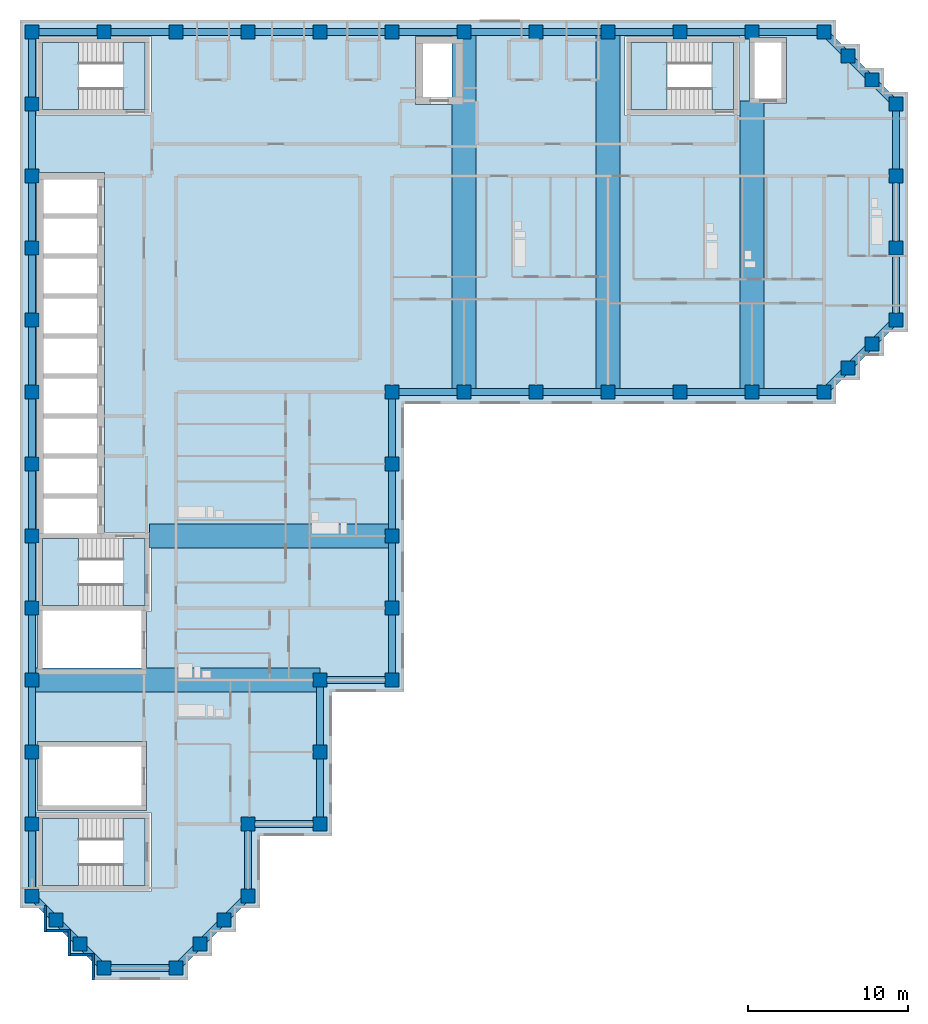
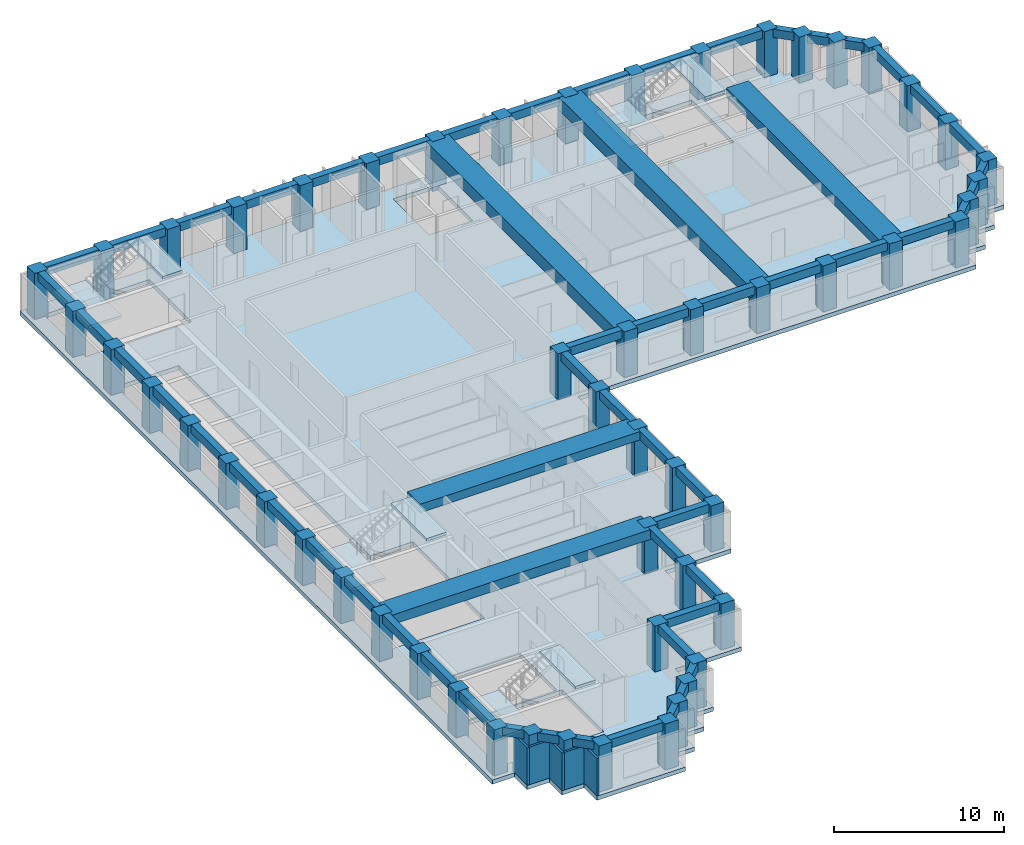
# One storey, part 1 of 10: 59 beams, 54 columns, 9 slabs, 5 walls, 4 elements without a shape of their own.
"""IFC4 building model written with IfcOpenShell, lengths in metres."""

from ifc_helpers import new_model, si_unit, direction, frame, frame_2d, origin, origin_2d, place, context, subcontext, project, spatial, polyline, rectangle, outline, extrude, material, layer, layer_set, material_profile, profile_set, type_object, element, aggregate, save


model = new_model("IFC4")

# Units and contexts
model_context = context("Model", 3, precision=1e-05, world=origin(), true_north=direction((0.0, 1.0)))
body_context = subcontext(model_context, "Body", "Model", "MODEL_VIEW")
ifc_project = project(units=[si_unit("LENGTHUNIT", "METRE"), si_unit("AREAUNIT", "SQUARE_METRE"), si_unit("VOLUMEUNIT", "CUBIC_METRE"), si_unit("PLANEANGLEUNIT", "RADIAN"), si_unit("MASSUNIT", "GRAM", prefix="KILO")], contexts=[model_context])

# Site, building, storey
site_placement = place(None, origin())
site = spatial("IfcSite", under=ifc_project, at=site_placement, CompositionType="ELEMENT")
building_placement = place(site_placement, origin())
building = spatial("IfcBuilding", under=site, at=building_placement, Name="Firuza Court", CompositionType="ELEMENT")
storey_placement = place(building_placement, frame((0.0, 0.0, 189.800048828125)))
storey = spatial("IfcBuildingStorey", under=building, at=storey_placement, Name="L48", CompositionType="ELEMENT", Elevation=189.800048828125)

# Columns
ifc_material_1 = material(Name="Concrete C50/60", Category="concrete")
ifc_material_profile_1 = material_profile(ifc_material_1, rectangle(XDim=0.89990234375, YDim=0.89990234375, at=origin_2d()), Name="RC 900x900")
ifc_profile_set_1 = profile_set([ifc_material_profile_1], Name="Concrete C50/60")
column_type = type_object("IfcColumnType", Name="Tube column RC 900x900 C50/60", PredefinedType="COLUMN", material=ifc_profile_set_1)
for number, where, z_axis, x_axis, name in (
    (1, (4.5, 0.0, -0.300048828125), (0.0, 0.0, 1.0), (1.0, 0.0, 0.0), "Column C-2D L48"),
    (2, (9.0, 0.0, -0.300048828125), (0.0, 0.0, 1.0), (1.0, 0.0, 0.0), "Column C-3D L48"),
    (3, (3.0, 1.5, -0.300048828125), (0.0, 0.0, 1.0), (1.0, 0.0, 0.0), "Column C-SA1 L48"),
    (4, (10.5, 1.5, -0.300048828125), (0.0, 0.0, 1.0), (1.0, 0.0, 0.0), "Column C-SA2 L48"),
    (5, (1.5, 3.0, -0.300048828125), (0.0, 0.0, 1.0), (1.0, 0.0, 0.0), "Column C-SA3 L48"),
    (6, (12.0, 3.0, -0.300048828125), (0.0, 0.0, 1.0), (1.0, 0.0, 0.0), "Column C-SA4 L48"),
    (7, (0.0, 4.5, -0.300048828125), (0.0, 0.0, 1.0), (1.0, 0.0, 0.0), "Column C-1E L48"),
    (8, (13.5, 4.5, -0.300048828125), (0.0, 0.0, 1.0), (1.0, 0.0, 0.0), "Column C-4E L48"),
    (9, (0.0, 9.0, -0.300048828125), (0.0, 0.0, 1.0), (1.0, 0.0, 0.0), "Column C-1F L48"),
    (10, (13.5, 9.0, -0.300048828125), (0.0, 0.0, 1.0), (1.0, 0.0, 0.0), "Column C-4F L48"),
    (11, (18.0, 9.0, -0.300048828125), (0.0, 0.0, 1.0), (1.0, 0.0, 0.0), "Column C-5F L48"),
    (12, (0.0, 13.5, -0.300048828125), (0.0, 0.0, 1.0), (1.0, 0.0, 0.0), "Column C-1G L48"),
    (13, (18.0, 13.5, -0.300048828125), (0.0, 0.0, 1.0), (1.0, 0.0, 0.0), "Column C-5G L48"),
    (14, (0.0, 18.0, -0.300048828125), (0.0, 0.0, 1.0), (1.0, 0.0, 0.0), "Column C-1H L48"),
    (15, (18.0, 18.0, -0.300048828125), (0.0, 0.0, 1.0), (1.0, 0.0, 0.0), "Column C-5H L48"),
    (16, (22.5, 18.0, -0.300048828125), (0.0, 0.0, 1.0), (1.0, 0.0, 0.0), "Column C-6H L48"),
    (17, (0.0, 22.5, -0.300048828125), (0.0, 0.0, 1.0), (1.0, 0.0, 0.0), "Column C-1J L48"),
    (18, (22.5, 22.5, -0.300048828125), (0.0, 0.0, 1.0), (1.0, 0.0, 0.0), "Column C-6J L48"),
    (19, (0.0, 27.0, -0.300048828125), (0.0, 0.0, 1.0), (1.0, 0.0, 0.0), "Column C-1K L48"),
    (20, (22.5, 27.0, -0.300048828125), (0.0, 0.0, 1.0), (1.0, 0.0, 0.0), "Column C-6K L48"),
    (21, (0.0, 31.5, -0.300048828125), (0.0, 0.0, 1.0), (1.0, 0.0, 0.0), "Column C-1L L48"),
    (22, (22.5, 31.5, -0.300048828125), (0.0, 0.0, 1.0), (1.0, 0.0, 0.0), "Column C-6L L48"),
    (23, (0.0, 36.0, -0.300048828125), (0.0, 0.0, 1.0), (1.0, 0.0, 0.0), "Column C-1M L48"),
    (24, (22.5, 36.0, -0.300048828125), (0.0, 0.0, 1.0), (1.0, 0.0, 0.0), "Column C-6M L48"),
    (25, (27.0, 36.0, -0.300048828125), (0.0, 0.0, 1.0), (1.0, 0.0, 0.0), "Column C-7M L48"),
    (26, (31.5, 36.0, -0.300048828125), (0.0, 0.0, 1.0), (1.0, 0.0, 0.0), "Column C-8M L48"),
    (27, (36.0, 36.0, -0.300048828125), (0.0, 0.0, 1.0), (1.0, 0.0, 0.0), "Column C-9M L48"),
    (28, (40.5, 36.0, -0.300048828125), (0.0, 0.0, 1.0), (1.0, 0.0, 0.0), "Column C-10M L48"),
    (29, (45.0, 36.0, -0.300048828125), (0.0, 0.0, 1.0), (1.0, 0.0, 0.0), "Column C-11M L48"),
    (30, (49.5, 36.0, -0.300048828125), (0.0, 0.0, 1.0), (1.0, 0.0, 0.0), "Column C-12M L48"),
    (31, (51.0, 37.5, -0.300048828125), (0.0, 0.0, 1.0), (1.0, 0.0, 0.0), "Column C-SA5 L48"),
    (32, (52.5, 39.0, -0.300048828125), (0.0, 0.0, 1.0), (1.0, 0.0, 0.0), "Column C-SA6 L48"),
    (33, (0.0, 40.5, -0.300048828125), (0.0, 0.0, 1.0), (1.0, 0.0, 0.0), "Column C-1N L48"),
    (34, (54.0, 40.5, -0.300048828125), (0.0, 0.0, 1.0), (1.0, 0.0, 0.0), "Column C-13N L48"),
    (35, (0.0, 45.0, -0.300048828125), (0.0, 0.0, 1.0), (1.0, 0.0, 0.0), "Column C-1P L48"),
    (36, (54.0, 45.0, -0.300048828125), (0.0, 0.0, 1.0), (1.0, 0.0, 0.0), "Column C-13P L48"),
    (37, (0.0, 49.5, -0.300048828125), (0.0, 0.0, 1.0), (1.0, 0.0, 0.0), "Column C-1Q L48"),
    (38, (54.0, 49.5, -0.300048828125), (0.0, 0.0, 1.0), (1.0, 0.0, 0.0), "Column C-13Q L48"),
    (39, (0.0, 54.0, -0.300048828125), (0.0, 0.0, 1.0), (1.0, 0.0, 0.0), "Column C-1R L48"),
    (40, (54.0, 54.0, -0.300048828125), (0.0, 0.0, 1.0), (1.0, 0.0, 0.0), "Column C-13R L48"),
    (41, (52.5, 55.5, -0.300048828125), (0.0, 0.0, 1.0), (1.0, 0.0, 0.0), "Column C-SA7 L48"),
    (42, (51.0, 57.0, -0.300048828125), (0.0, 0.0, 1.0), (1.0, 0.0, 0.0), "Column C-SA8 L48"),
    (43, (0.0, 58.5, -0.300048828125), (0.0, 0.0, 1.0), (1.0, 0.0, 0.0), "Column C-1S L48"),
    (44, (4.5, 58.5, -0.300048828125), (0.0, 0.0, 1.0), (1.0, 0.0, 0.0), "Column C-2S L48"),
    (45, (9.0, 58.5, -0.300048828125), (0.0, 0.0, 1.0), (1.0, 0.0, 0.0), "Column C-3S L48"),
    (46, (13.5, 58.5, -0.300048828125), (0.0, 0.0, 1.0), (1.0, 0.0, 0.0), "Column C-4S L48"),
    (47, (18.0, 58.5, -0.300048828125), (0.0, 0.0, 1.0), (1.0, 0.0, 0.0), "Column C-5S L48"),
    (48, (22.5, 58.5, -0.300048828125), (0.0, 0.0, 1.0), (1.0, 0.0, 0.0), "Column C-6S L48"),
    (49, (27.0, 58.5, -0.300048828125), (0.0, 0.0, 1.0), (1.0, 0.0, 0.0), "Column C-7S L48"),
    (50, (31.5, 58.5, -0.300048828125), (0.0, 0.0, 1.0), (1.0, 0.0, 0.0), "Column C-8S L48"),
    (51, (36.0, 58.5, -0.300048828125), (0.0, 0.0, 1.0), (1.0, 0.0, 0.0), "Column C-9S L48"),
    (52, (40.5, 58.5, -0.300048828125), (0.0, 0.0, 1.0), (1.0, 0.0, 0.0), "Column C-10S L48"),
    (53, (45.0, 58.5, -0.300048828125), (0.0, 0.0, 1.0), (1.0, 0.0, 0.0), "Column C-11S L48"),
    (54, (49.5, 58.5, -0.300048828125), (0.0, 0.0, 1.0), (1.0, 0.0, 0.0), "Column C-12S L48"),
):
    element("IfcColumn", number, at=place(storey_placement, frame(where, z_axis=z_axis, x_axis=x_axis)), inside=storey, type_object=column_type, Name=name, PredefinedType="COLUMN", context=body_context, shape_type="SweptSolid", body=[
        extrude(rectangle(XDim=0.89990234375, YDim=0.89990234375, at=origin_2d()), origin(), (0.0, 0.0, 1.0), 3.60009765625),
    ])

# Beams
ifc_material_2 = material(Name="Concrete C40/50", Category="concrete")
ifc_material_profile_2 = material_profile(ifc_material_2, rectangle(XDim=1.5, YDim=0.60009765625, at=origin_2d()), Name="RC 1500x600")
ifc_profile_set_2 = profile_set([ifc_material_profile_2], Name="Concrete C40/50")
beam_type_1 = type_object("IfcBeamType", Name="Band beam RC 1500x600 C40/50", PredefinedType="BEAM", material=ifc_profile_set_2)
beam_1_placement = place(storey_placement, frame((22.5, 27.0, 3.0), z_axis=(-1.0, 0.0, 0.0), x_axis=(0.0, -1.0, 0.0)))
element("IfcBeam", 55, at=beam_1_placement, inside=storey, type_object=beam_type_1, Name="Band beam FB3 level L49", PredefinedType="BEAM", context=body_context, shape_type="SweptSolid", body=[
    extrude(rectangle(XDim=1.5, YDim=0.60009765625, at=origin_2d()), origin(), (0.0, 0.0, 1.0), 15.14990234375),
])
ifc_material_3 = material(Name="Concrete C40/50", Category="concrete")
ifc_material_profile_3 = material_profile(ifc_material_3, rectangle(XDim=1.5, YDim=0.699951171875, at=origin_2d()), Name="RC 1500x700")
ifc_profile_set_3 = profile_set([ifc_material_profile_3], Name="Concrete C40/50")
beam_type_2 = type_object("IfcBeamType", Name="Band beam RC 1500x700 C40/50", PredefinedType="BEAM", material=ifc_profile_set_3)
beam_2_placement = place(storey_placement, frame((0.0, 18.0, 2.949951171875), z_axis=(1.0, 0.0, 0.0), x_axis=(0.0, 1.0, 0.0)))
element("IfcBeam", 56, at=beam_2_placement, inside=storey, type_object=beam_type_2, Name="Band beam FB1 level L49", PredefinedType="BEAM", context=body_context, shape_type="SweptSolid", body=[
    extrude(rectangle(XDim=1.5, YDim=0.699951171875, at=origin_2d()), origin(), (0.0, 0.0, 1.0), 18.0),
])
beam_3_placement = place(storey_placement, frame((45.0, 36.0, 2.949951171875), z_axis=(0.0, 1.0, 0.0), x_axis=(-1.0, 0.0, 0.0)))
element("IfcBeam", 57, at=beam_3_placement, inside=storey, type_object=beam_type_2, Name="Band beam FB1 level L49", PredefinedType="BEAM", context=body_context, shape_type="SweptSolid", body=[
    extrude(rectangle(XDim=1.5, YDim=0.699951171875, at=origin_2d()), origin(), (0.0, 0.0, 1.0), 18.199951171875),
])
ifc_material_4 = material(Name="Concrete C40/50", Category="concrete")
ifc_material_profile_4 = material_profile(ifc_material_4, rectangle(XDim=1.5, YDim=0.89990234375, at=origin_2d()), Name="RC 1500x900")
ifc_profile_set_4 = profile_set([ifc_material_profile_4], Name="Concrete C40/50")
beam_type_3 = type_object("IfcBeamType", Name="Band beam RC 1500x900 C40/50", PredefinedType="BEAM", material=ifc_profile_set_4)
for number, where, z_axis, x_axis, name in (
    (58, (27.0, 36.0, 2.849853515625), (0.0, 1.0, 0.0), (-1.0, 0.0, 0.0), "Band beam FB2 level L49"),
    (59, (36.0, 36.0, 2.849853515625), (0.0, 1.0, 0.0), (-1.0, 0.0, 0.0), "Band beam FB2 level L49"),
):
    element("IfcBeam", number, at=place(storey_placement, frame(where, z_axis=z_axis, x_axis=x_axis)), inside=storey, type_object=beam_type_3, Name=name, PredefinedType="BEAM", context=body_context, shape_type="SweptSolid", body=[
        extrude(rectangle(XDim=1.5, YDim=0.89990234375, at=origin_2d()), origin(), (0.0, 0.0, 1.0), 22.5),
    ])
ifc_material_5 = material(Name="Concrete C40/50", Category="concrete")
ifc_material_profile_5 = material_profile(ifc_material_5, rectangle(XDim=0.449951171875, YDim=0.60009765625, at=origin_2d()), Name="RC 450x600")
ifc_profile_set_5 = profile_set([ifc_material_profile_5], Name="Concrete C40/50")
beam_type_4 = type_object("IfcBeamType", Name="Spandrel beam RC 450x600 C40/50", PredefinedType="BEAM", material=ifc_profile_set_5)
beam_4_placement = place(storey_placement, frame((0.0, 4.5, 3.0), z_axis=(0.707106781187, -0.707106781187, 0.0), x_axis=(0.707106781187, 0.707106781187, 0.0)))
element("IfcBeam", 60, at=beam_4_placement, inside=storey, type_object=beam_type_4, Name="Spandrel beam SP15 level L49", PredefinedType="BEAM", context=body_context, shape_type="SweptSolid", body=[
    extrude(rectangle(XDim=0.449951171875, YDim=0.60009765625, at=origin_2d()), origin(), (0.0, 0.0, 1.0), 2.121337890625),
])
for number, where, z_axis, x_axis, name in (
    (61, (0.0, 9.0, 3.0), (0.0, -1.0, 0.0), (1.0, 0.0, 0.0), "Spandrel beam SP15 level L49"),
    (62, (0.0, 13.5, 3.0), (0.0, -1.0, 0.0), (1.0, 0.0, 0.0), "Spandrel beam SP15 level L49"),
    (63, (0.0, 18.0, 3.0), (0.0, -1.0, 0.0), (1.0, 0.0, 0.0), "Spandrel beam SP15 level L49"),
    (64, (0.0, 22.5, 3.0), (0.0, -1.0, 0.0), (1.0, 0.0, 0.0), "Spandrel beam SP15 level L49"),
    (65, (0.0, 27.0, 3.0), (0.0, -1.0, 0.0), (1.0, 0.0, 0.0), "Spandrel beam SP15 level L49"),
    (66, (0.0, 31.5, 3.0), (0.0, -1.0, 0.0), (1.0, 0.0, 0.0), "Spandrel beam SP15 level L49"),
    (67, (0.0, 36.0, 3.0), (0.0, -1.0, 0.0), (1.0, 0.0, 0.0), "Spandrel beam SP15 level L49"),
    (68, (0.0, 40.5, 3.0), (0.0, -1.0, 0.0), (1.0, 0.0, 0.0), "Spandrel beam SP15 level L49"),
    (69, (0.0, 45.0, 3.0), (0.0, -1.0, 0.0), (1.0, 0.0, 0.0), "Spandrel beam SP15 level L49"),
    (70, (0.0, 49.5, 3.0), (0.0, -1.0, 0.0), (1.0, 0.0, 0.0), "Spandrel beam SP15 level L49"),
    (71, (0.0, 54.0, 3.0), (0.0, -1.0, 0.0), (1.0, 0.0, 0.0), "Spandrel beam SP15 level L49"),
    (72, (0.0, 58.5, 3.0), (0.0, -1.0, 0.0), (1.0, 0.0, 0.0), "Spandrel beam SP15 level L49"),
):
    element("IfcBeam", number, at=place(storey_placement, frame(where, z_axis=z_axis, x_axis=x_axis)), inside=storey, type_object=beam_type_4, Name=name, PredefinedType="BEAM", context=body_context, shape_type="SweptSolid", body=[
        extrude(rectangle(XDim=0.449951171875, YDim=0.60009765625, at=origin_2d()), origin(), (0.0, 0.0, 1.0), 4.5),
    ])
for number, where, z_axis, x_axis, name in (
    (73, (1.5, 3.0, 3.0), (0.707106781187, -0.707106781187, 0.0), (0.707106781187, 0.707106781187, 0.0), "Spandrel beam SP15 level L49"),
    (74, (3.0, 1.5, 3.0), (0.707106781187, -0.707106781187, 0.0), (0.707106781187, 0.707106781187, 0.0), "Spandrel beam SP15 level L49"),
):
    element("IfcBeam", number, at=place(storey_placement, frame(where, z_axis=z_axis, x_axis=x_axis)), inside=storey, type_object=beam_type_4, Name=name, PredefinedType="BEAM", context=body_context, shape_type="SweptSolid", body=[
        extrude(rectangle(XDim=0.449951171875, YDim=0.60009765625, at=origin_2d()), origin(), (0.0, 0.0, 1.0), 2.121337890625),
    ])
for number, where, z_axis, x_axis, name in (
    (75, (4.5, 0.0, 3.0), (1.0, 0.0, 0.0), (0.0, 1.0, 0.0), "Spandrel beam SP15 level L49"),
    (76, (4.5, 58.5, 3.0), (-1.0, 0.0, 0.0), (0.0, -1.0, 0.0), "Spandrel beam SP15 level L49"),
):
    element("IfcBeam", number, at=place(storey_placement, frame(where, z_axis=z_axis, x_axis=x_axis)), inside=storey, type_object=beam_type_4, Name=name, PredefinedType="BEAM", context=body_context, shape_type="SweptSolid", body=[
        extrude(rectangle(XDim=0.449951171875, YDim=0.60009765625, at=origin_2d()), origin(), (0.0, 0.0, 1.0), 4.5),
    ])
beam_5_placement = place(storey_placement, frame((9.0, 0.0, 3.0), z_axis=(0.707106781187, 0.707106781187, 0.0), x_axis=(-0.707106781187, 0.707106781187, 0.0)))
element("IfcBeam", 77, at=beam_5_placement, inside=storey, type_object=beam_type_4, Name="Spandrel beam SP15 level L49", PredefinedType="BEAM", context=body_context, shape_type="SweptSolid", body=[
    extrude(rectangle(XDim=0.449951171875, YDim=0.60009765625, at=origin_2d()), origin(), (0.0, 0.0, 1.0), 2.121337890625),
])
beam_6_placement = place(storey_placement, frame((9.0, 58.5, 3.0), z_axis=(-1.0, 0.0, 0.0), x_axis=(0.0, -1.0, 0.0)))
element("IfcBeam", 78, at=beam_6_placement, inside=storey, type_object=beam_type_4, Name="Spandrel beam SP15 level L49", PredefinedType="BEAM", context=body_context, shape_type="SweptSolid", body=[
    extrude(rectangle(XDim=0.449951171875, YDim=0.60009765625, at=origin_2d()), origin(), (0.0, 0.0, 1.0), 4.5),
])
for number, where, z_axis, x_axis, name in (
    (79, (10.5, 1.5, 3.0), (0.707106781187, 0.707106781187, 0.0), (-0.707106781187, 0.707106781187, 0.0), "Spandrel beam SP15 level L49"),
    (80, (12.0, 3.0, 3.0), (0.707106781187, 0.707106781187, 0.0), (-0.707106781187, 0.707106781187, 0.0), "Spandrel beam SP15 level L49"),
):
    element("IfcBeam", number, at=place(storey_placement, frame(where, z_axis=z_axis, x_axis=x_axis)), inside=storey, type_object=beam_type_4, Name=name, PredefinedType="BEAM", context=body_context, shape_type="SweptSolid", body=[
        extrude(rectangle(XDim=0.449951171875, YDim=0.60009765625, at=origin_2d()), origin(), (0.0, 0.0, 1.0), 2.121337890625),
    ])
for number, where, z_axis, x_axis, name in (
    (81, (13.5, 4.5, 3.0), (0.0, 1.0, 0.0), (-1.0, 0.0, 0.0), "Spandrel beam SP15 level L49"),
    (82, (13.5, 9.0, 3.0), (1.0, 0.0, 0.0), (0.0, 1.0, 0.0), "Spandrel beam SP15 level L49"),
    (83, (13.5, 58.5, 3.0), (-1.0, 0.0, 0.0), (0.0, -1.0, 0.0), "Spandrel beam SP15 level L49"),
    (84, (18.0, 9.0, 3.0), (0.0, 1.0, 0.0), (-1.0, 0.0, 0.0), "Spandrel beam SP15 level L49"),
    (85, (18.0, 13.5, 3.0), (0.0, 1.0, 0.0), (-1.0, 0.0, 0.0), "Spandrel beam SP15 level L49"),
    (86, (18.0, 18.0, 3.0), (1.0, 0.0, 0.0), (0.0, 1.0, 0.0), "Spandrel beam SP15 level L49"),
    (87, (18.0, 58.5, 3.0), (-1.0, 0.0, 0.0), (0.0, -1.0, 0.0), "Spandrel beam SP15 level L49"),
    (88, (22.5, 18.0, 3.0), (0.0, 1.0, 0.0), (-1.0, 0.0, 0.0), "Spandrel beam SP15 level L49"),
    (89, (22.5, 22.5, 3.0), (0.0, 1.0, 0.0), (-1.0, 0.0, 0.0), "Spandrel beam SP15 level L49"),
    (90, (22.5, 27.0, 3.0), (0.0, 1.0, 0.0), (-1.0, 0.0, 0.0), "Spandrel beam SP15 level L49"),
    (91, (22.5, 31.5, 3.0), (0.0, 1.0, 0.0), (-1.0, 0.0, 0.0), "Spandrel beam SP15 level L49"),
    (92, (22.5, 36.0, 3.0), (1.0, 0.0, 0.0), (0.0, 1.0, 0.0), "Spandrel beam SP15 level L49"),
    (93, (22.5, 58.5, 3.0), (-1.0, 0.0, 0.0), (0.0, -1.0, 0.0), "Spandrel beam SP15 level L49"),
    (94, (27.0, 36.0, 3.0), (1.0, 0.0, 0.0), (0.0, 1.0, 0.0), "Spandrel beam SP15 level L49"),
    (95, (27.0, 58.5, 3.0), (-1.0, 0.0, 0.0), (0.0, -1.0, 0.0), "Spandrel beam SP15 level L49"),
    (96, (31.5, 36.0, 3.0), (1.0, 0.0, 0.0), (0.0, 1.0, 0.0), "Spandrel beam SP15 level L49"),
    (97, (31.5, 58.5, 3.0), (-1.0, 0.0, 0.0), (0.0, -1.0, 0.0), "Spandrel beam SP15 level L49"),
    (98, (36.0, 36.0, 3.0), (1.0, 0.0, 0.0), (0.0, 1.0, 0.0), "Spandrel beam SP15 level L49"),
    (99, (36.0, 58.5, 3.0), (-1.0, 0.0, 0.0), (0.0, -1.0, 0.0), "Spandrel beam SP15 level L49"),
    (100, (40.5, 36.0, 3.0), (1.0, 0.0, 0.0), (0.0, 1.0, 0.0), "Spandrel beam SP15 level L49"),
    (101, (40.5, 58.5, 3.0), (-1.0, 0.0, 0.0), (0.0, -1.0, 0.0), "Spandrel beam SP15 level L49"),
    (102, (45.0, 36.0, 3.0), (1.0, 0.0, 0.0), (0.0, 1.0, 0.0), "Spandrel beam SP15 level L49"),
    (103, (45.0, 58.5, 3.0), (-1.0, 0.0, 0.0), (0.0, -1.0, 0.0), "Spandrel beam SP15 level L49"),
):
    element("IfcBeam", number, at=place(storey_placement, frame(where, z_axis=z_axis, x_axis=x_axis)), inside=storey, type_object=beam_type_4, Name=name, PredefinedType="BEAM", context=body_context, shape_type="SweptSolid", body=[
        extrude(rectangle(XDim=0.449951171875, YDim=0.60009765625, at=origin_2d()), origin(), (0.0, 0.0, 1.0), 4.5),
    ])
beam_7_placement = place(storey_placement, frame((49.5, 36.0, 3.0), z_axis=(0.707106781187, 0.707106781187, 0.0), x_axis=(-0.707106781187, 0.707106781187, 0.0)))
element("IfcBeam", 104, at=beam_7_placement, inside=storey, type_object=beam_type_4, Name="Spandrel beam SP15 level L49", PredefinedType="BEAM", context=body_context, shape_type="SweptSolid", body=[
    extrude(rectangle(XDim=0.449951171875, YDim=0.60009765625, at=origin_2d()), origin(), (0.0, 0.0, 1.0), 2.121337890625),
])
beam_8_placement = place(storey_placement, frame((49.5, 58.5, 3.0), z_axis=(-1.0, 0.0, 0.0), x_axis=(0.0, -1.0, 0.0)))
element("IfcBeam", 105, at=beam_8_placement, inside=storey, type_object=beam_type_4, Name="Spandrel beam SP15 level L49", PredefinedType="BEAM", context=body_context, shape_type="SweptSolid", body=[
    extrude(rectangle(XDim=0.449951171875, YDim=0.60009765625, at=origin_2d()), origin(), (0.0, 0.0, 1.0), 4.5),
])
for number, where, z_axis, x_axis, name in (
    (106, (51.0, 37.5, 3.0), (0.707106781187, 0.707106781187, 0.0), (-0.707106781187, 0.707106781187, 0.0), "Spandrel beam SP15 level L49"),
    (107, (51.0, 57.0, 3.0), (-0.707106781187, 0.707106781187, 0.0), (-0.707106781187, -0.707106781187, 0.0), "Spandrel beam SP15 level L49"),
    (108, (52.5, 39.0, 3.0), (0.707106781187, 0.707106781187, 0.0), (-0.707106781187, 0.707106781187, 0.0), "Spandrel beam SP15 level L49"),
    (109, (52.5, 55.5, 3.0), (-0.707106781187, 0.707106781187, 0.0), (-0.707106781187, -0.707106781187, 0.0), "Spandrel beam SP15 level L49"),
):
    element("IfcBeam", number, at=place(storey_placement, frame(where, z_axis=z_axis, x_axis=x_axis)), inside=storey, type_object=beam_type_4, Name=name, PredefinedType="BEAM", context=body_context, shape_type="SweptSolid", body=[
        extrude(rectangle(XDim=0.449951171875, YDim=0.60009765625, at=origin_2d()), origin(), (0.0, 0.0, 1.0), 2.121337890625),
    ])
for number, where, z_axis, x_axis, name in (
    (110, (54.0, 40.5, 3.0), (0.0, 1.0, 0.0), (-1.0, 0.0, 0.0), "Spandrel beam SP15 level L49"),
    (111, (54.0, 45.0, 3.0), (0.0, 1.0, 0.0), (-1.0, 0.0, 0.0), "Spandrel beam SP15 level L49"),
    (112, (54.0, 49.5, 3.0), (0.0, 1.0, 0.0), (-1.0, 0.0, 0.0), "Spandrel beam SP15 level L49"),
):
    element("IfcBeam", number, at=place(storey_placement, frame(where, z_axis=z_axis, x_axis=x_axis)), inside=storey, type_object=beam_type_4, Name=name, PredefinedType="BEAM", context=body_context, shape_type="SweptSolid", body=[
        extrude(rectangle(XDim=0.449951171875, YDim=0.60009765625, at=origin_2d()), origin(), (0.0, 0.0, 1.0), 4.5),
    ])
beam_9_placement = place(storey_placement, frame((54.0, 54.0, 3.0), z_axis=(-0.707106781187, 0.707106781187, 0.0), x_axis=(-0.707106781187, -0.707106781187, 0.0)))
element("IfcBeam", 113, at=beam_9_placement, inside=storey, type_object=beam_type_4, Name="Spandrel beam SP15 level L49", PredefinedType="BEAM", context=body_context, shape_type="SweptSolid", body=[
    extrude(rectangle(XDim=0.449951171875, YDim=0.60009765625, at=origin_2d()), origin(), (0.0, 0.0, 1.0), 2.121337890625),
])

# Slab
ifc_material_6 = material(Name="Concrete C40/50", Category="concrete")
ifc_layer_1 = layer(ifc_material_6, 0.300048828125)
ifc_layer_set_1 = layer_set([ifc_layer_1], Name="Concrete C40/50")
slab_type_1 = type_object("IfcSlabType", Name="Floor slab 300 C40/50", PredefinedType="FLOOR", material=ifc_layer_set_1)
slab_1_placement = place(storey_placement, frame((0.0, 0.0, -0.300048828125)))
element("IfcSlab", 114, at=slab_1_placement, inside=storey, type_object=slab_type_1, Name="Floor slab L48", PredefinedType="FLOOR", context=body_context, shape_type="SweptSolid", body=[
    extrude(outline(polyline([(-0.75, 59.25), (50.25, 59.25), (50.25, 57.75), (51.75, 57.75), (51.75, 56.25), (53.25, 56.25), (53.25, 54.75), (54.75, 54.75), (54.75, 39.75), (53.25, 39.75), (53.25, 38.25), (51.75, 38.25), (51.75, 36.75), (50.25, 36.75), (50.25, 35.25), (23.25, 35.25), (23.25, 17.25), (18.75, 17.25), (18.75, 8.25), (14.25, 8.25), (14.25, 3.75), (12.75, 3.75), (12.75, 2.25), (11.25, 2.25), (11.25, 0.75), (9.75, 0.75), (9.75, -0.75), (3.75, -0.75), (3.75, 0.75), (2.25, 0.75), (2.25, 2.25), (0.75, 2.25), (0.75, 3.75), (-0.75, 3.75), (-0.75, 59.25)]), holes=[polyline([(0.27490234375, 29.72509765625), (0.27490234375, 29.27490234375), (0.27490234375, 27.22509765625), (0.27490234375, 26.77490234375), (0.27490234375, 22.27490234375), (0.35009765625, 22.27490234375), (0.35009765625, 18.35009765625), (7.14990234375, 18.35009765625), (7.14990234375, 22.27490234375), (7.425048828125, 22.27490234375), (7.425048828125, 27.22509765625), (4.52490234375, 27.22509765625), (4.52490234375, 29.27490234375), (4.52490234375, 29.72509765625), (4.52490234375, 31.77490234375), (4.52490234375, 32.22509765625), (4.52490234375, 34.27490234375), (4.52490234375, 34.72509765625), (4.52490234375, 36.77490234375), (4.52490234375, 37.22509765625), (4.52490234375, 39.27490234375), (4.52490234375, 39.72509765625), (4.52490234375, 41.77490234375), (4.52490234375, 42.22509765625), (4.52490234375, 44.27490234375), (4.52490234375, 44.72509765625), (4.52490234375, 46.77490234375), (4.52490234375, 47.22509765625), (4.52490234375, 49.72509765625), (0.27490234375, 49.72509765625), (0.27490234375, 47.22509765625), (0.27490234375, 46.77490234375), (0.27490234375, 44.72509765625), (0.27490234375, 44.27490234375), (0.27490234375, 42.22509765625), (0.27490234375, 41.77490234375), (0.27490234375, 39.72509765625), (0.27490234375, 39.27490234375), (0.27490234375, 37.22509765625), (0.27490234375, 36.77490234375), (0.27490234375, 34.72509765625), (0.27490234375, 34.27490234375), (0.27490234375, 32.22509765625), (0.27490234375, 31.77490234375), (0.27490234375, 29.72509765625)]), polyline([(7.425048828125, 9.72509765625), (0.27490234375, 9.72509765625), (0.27490234375, 4.77490234375), (7.425048828125, 4.77490234375), (7.425048828125, 9.72509765625)]), polyline([(7.14990234375, 14.14990234375), (0.35009765625, 14.14990234375), (0.35009765625, 9.85009765625), (7.14990234375, 9.85009765625), (7.14990234375, 14.14990234375)]), polyline([(7.425048828125, 58.22509765625), (0.27490234375, 58.22509765625), (0.27490234375, 53.27490234375), (7.425048828125, 53.27490234375), (7.425048828125, 58.22509765625)]), polyline([(44.22509765625, 58.22509765625), (37.074951171875, 58.22509765625), (37.074951171875, 53.27490234375), (44.22509765625, 53.27490234375), (44.22509765625, 58.22509765625)]), polyline([(26.925048828125, 53.97509765625), (26.925048828125, 58.22509765625), (23.97509765625, 58.22509765625), (23.97509765625, 53.97509765625), (26.925048828125, 53.97509765625)]), polyline([(47.14990234375, 54.050048828125), (47.14990234375, 58.14990234375), (44.85009765625, 58.14990234375), (44.85009765625, 54.050048828125), (47.14990234375, 54.050048828125)])]), origin(), (0.0, 0.0, 1.0), 0.300048828125),
])

# Stair, slabs
ifc_material_7 = material(Name="Concrete C40/50 precast", Category="concrete")
stair_type = type_object("IfcStairType", Name="Stair 1350 x 3600 2 flights", PredefinedType="HALF_TURN_STAIR", material=ifc_material_7)
stair_1_placement = place(storey_placement, origin())
stair_1 = element("IfcStair", 115, at=stair_1_placement, inside=storey, type_object=stair_type, Name="Stair 1 L48", PredefinedType="HALF_TURN_STAIR")
ifc_material_8 = material(Name="Concrete C40/50 precast", Category="concrete")
ifc_layer_2 = layer(ifc_material_8, 0.199951171875)
ifc_layer_set_2 = layer_set([ifc_layer_2], Name="Concrete C40/50 precast")
slab_type_2 = type_object("IfcSlabType", Name="Stair landing 200", PredefinedType="LANDING", material=ifc_layer_set_2)
slab_2_placement = place(storey_placement, frame((0.0, 0.0, 1.599853515625)))
slab_2 = element("IfcSlab", 116, at=slab_2_placement, type_object=slab_type_2, Name="S1 landing 1", PredefinedType="LANDING", context=body_context, shape_type="SweptSolid", body=[
    extrude(outline(polyline([(39.699951171875, 53.64990234375), (39.699951171875, 57.85009765625), (37.449951171875, 57.85009765625), (37.449951171875, 53.64990234375), (39.699951171875, 53.64990234375)])), origin(), (0.0, 0.0, 1.0), 0.2001953125),
])
slab_3_placement = place(storey_placement, frame((0.0, 0.0, 3.39990234375)))
slab_3 = element("IfcSlab", 117, at=slab_3_placement, type_object=slab_type_2, Name="S1 landing 2", PredefinedType="LANDING", context=body_context, shape_type="SweptSolid", body=[
    extrude(outline(polyline([(43.85009765625, 53.64990234375), (43.85009765625, 57.85009765625), (42.5, 57.85009765625), (42.5, 53.64990234375), (43.85009765625, 53.64990234375)])), origin(), (0.0, 0.0, 1.0), 0.199951171875),
])
aggregate(stair_1, [slab_2, slab_3])

stair_2_placement = place(storey_placement, origin())
stair_2 = element("IfcStair", 118, at=stair_2_placement, inside=storey, type_object=stair_type, Name="Stair 2 L48", PredefinedType="HALF_TURN_STAIR")
slab_4_placement = place(storey_placement, frame((0.0, 0.0, 1.599853515625)))
slab_4 = element("IfcSlab", 119, at=slab_4_placement, type_object=slab_type_2, Name="S2 landing 1", PredefinedType="LANDING", context=body_context, shape_type="SweptSolid", body=[
    extrude(outline(polyline([(2.89990234375, 22.64990234375), (2.89990234375, 26.85009765625), (0.64990234375, 26.85009765625), (0.64990234375, 22.64990234375), (2.89990234375, 22.64990234375)])), origin(), (0.0, 0.0, 1.0), 0.2001953125),
])
slab_5_placement = place(storey_placement, frame((0.0, 0.0, 3.39990234375)))
slab_5 = element("IfcSlab", 120, at=slab_5_placement, type_object=slab_type_2, Name="S2 landing 2", PredefinedType="LANDING", context=body_context, shape_type="SweptSolid", body=[
    extrude(outline(polyline([(7.050048828125, 22.64990234375), (7.050048828125, 26.85009765625), (5.699951171875, 26.85009765625), (5.699951171875, 22.64990234375), (7.050048828125, 22.64990234375)])), origin(), (0.0, 0.0, 1.0), 0.199951171875),
])
aggregate(stair_2, [slab_4, slab_5])

stair_3_placement = place(storey_placement, origin())
stair_3 = element("IfcStair", 121, at=stair_3_placement, inside=storey, type_object=stair_type, Name="Stair 3 L48", PredefinedType="HALF_TURN_STAIR")
slab_6_placement = place(storey_placement, frame((0.0, 0.0, 1.599853515625)))
slab_6 = element("IfcSlab", 122, at=slab_6_placement, type_object=slab_type_2, Name="S3 landing 1", PredefinedType="LANDING", context=body_context, shape_type="SweptSolid", body=[
    extrude(outline(polyline([(2.89990234375, 53.64990234375), (2.89990234375, 57.85009765625), (0.64990234375, 57.85009765625), (0.64990234375, 53.64990234375), (2.89990234375, 53.64990234375)])), origin(), (0.0, 0.0, 1.0), 0.2001953125),
])
slab_7_placement = place(storey_placement, frame((0.0, 0.0, 3.39990234375)))
slab_7 = element("IfcSlab", 123, at=slab_7_placement, type_object=slab_type_2, Name="S3 landing 2", PredefinedType="LANDING", context=body_context, shape_type="SweptSolid", body=[
    extrude(outline(polyline([(7.050048828125, 53.64990234375), (7.050048828125, 57.85009765625), (5.699951171875, 57.85009765625), (5.699951171875, 53.64990234375), (7.050048828125, 53.64990234375)])), origin(), (0.0, 0.0, 1.0), 0.199951171875),
])
aggregate(stair_3, [slab_6, slab_7])

stair_4_placement = place(storey_placement, origin())
stair_4 = element("IfcStair", 124, at=stair_4_placement, inside=storey, type_object=stair_type, Name="Stair 5 L48", PredefinedType="HALF_TURN_STAIR")
slab_8_placement = place(storey_placement, frame((0.0, 0.0, 1.599853515625)))
slab_8 = element("IfcSlab", 125, at=slab_8_placement, type_object=slab_type_2, Name="S5 landing 1", PredefinedType="LANDING", context=body_context, shape_type="SweptSolid", body=[
    extrude(outline(polyline([(2.89990234375, 5.14990234375), (2.89990234375, 9.35009765625), (0.64990234375, 9.35009765625), (0.64990234375, 5.14990234375), (2.89990234375, 5.14990234375)])), origin(), (0.0, 0.0, 1.0), 0.2001953125),
])
slab_9_placement = place(storey_placement, frame((0.0, 0.0, 3.39990234375)))
slab_9 = element("IfcSlab", 126, at=slab_9_placement, type_object=slab_type_2, Name="S5 landing 2", PredefinedType="LANDING", context=body_context, shape_type="SweptSolid", body=[
    extrude(outline(polyline([(7.050048828125, 5.14990234375), (7.050048828125, 9.35009765625), (5.699951171875, 9.35009765625), (5.699951171875, 5.14990234375), (7.050048828125, 5.14990234375)])), origin(), (0.0, 0.0, 1.0), 0.199951171875),
])
aggregate(stair_4, [slab_8, slab_9])

# Walls
ifc_material_9 = material(Name="Ceramic tile", Category="ceramic")
ifc_layer_3 = layer(ifc_material_9, 0.02001953125)
ifc_material_10 = material(Name="Mineral wool insulation", Category="insulation")
ifc_layer_4 = layer(ifc_material_10, 0.050048828125)
ifc_layer_5 = layer(ifc_material_8, 0.080078125)
ifc_layer_set_3 = layer_set([ifc_layer_3, ifc_layer_4, ifc_layer_5], Name="Concrete C40/50 precast")
wall_type = type_object("IfcWallType", Name="Precast cladding wall with turquoise TILE PANEL face 150", PredefinedType="STANDARD", material=ifc_layer_set_3)
wall_1_placement = place(storey_placement, frame((0.824951171875, 3.89990234375, 0.0), z_axis=(0.0, 0.0, 1.0), x_axis=(0.0, -1.0, 0.0)))
element("IfcWall", 127, at=wall_1_placement, inside=storey, type_object=wall_type, Name="Facade wall L48 W", PredefinedType="STANDARD", context=body_context, shape_type="SweptSolid", body=[
    extrude(rectangle(XDim=1.64990234375, YDim=0.14990234375, at=frame_2d((0.824951171875, 0.0))), origin(), (0.0, 0.0, 1.0), 2.699951171875),
])
wall_2_placement = place(storey_placement, frame((0.89990234375, 2.324951171875, 0.0), z_axis=(0.0, 0.0, 1.0), x_axis=(1.0, 0.0, 0.0)))
element("IfcWall", 128, at=wall_2_placement, inside=storey, type_object=wall_type, Name="Facade wall L48 S", PredefinedType="STANDARD", context=body_context, shape_type="SweptSolid", body=[
    extrude(rectangle(XDim=1.35009765625, YDim=0.14990234375, at=frame_2d((0.675048828125, 0.0))), origin(), (0.0, 0.0, 1.0), 2.699951171875),
])
wall_3_placement = place(storey_placement, frame((2.324951171875, 2.39990234375, 0.0), z_axis=(0.0, 0.0, 1.0), x_axis=(0.0, -1.0, 0.0)))
element("IfcWall", 129, at=wall_3_placement, inside=storey, type_object=wall_type, Name="Facade wall L48 W", PredefinedType="STANDARD", context=body_context, shape_type="SweptSolid", body=[
    extrude(rectangle(XDim=1.64990234375, YDim=0.14990234375, at=frame_2d((0.824951171875, 0.0))), origin(), (0.0, 0.0, 1.0), 2.699951171875),
])
wall_4_placement = place(storey_placement, frame((2.39990234375, 0.824951171875, 0.0), z_axis=(0.0, 0.0, 1.0), x_axis=(1.0, 0.0, 0.0)))
element("IfcWall", 130, at=wall_4_placement, inside=storey, type_object=wall_type, Name="Facade wall L48 S", PredefinedType="STANDARD", context=body_context, shape_type="SweptSolid", body=[
    extrude(rectangle(XDim=1.35009765625, YDim=0.14990234375, at=frame_2d((0.675048828125, 0.0))), origin(), (0.0, 0.0, 1.0), 2.699951171875),
])
wall_5_placement = place(storey_placement, frame((3.824951171875, 0.89990234375, 0.0), z_axis=(0.0, 0.0, 1.0), x_axis=(0.0, -1.0, 0.0)))
element("IfcWall", 131, at=wall_5_placement, inside=storey, type_object=wall_type, Name="Facade wall L48 W", PredefinedType="STANDARD", context=body_context, shape_type="SweptSolid", body=[
    extrude(rectangle(XDim=1.64990234375, YDim=0.14990234375, at=frame_2d((0.824951171875, 0.0))), origin(), (0.0, 0.0, 1.0), 2.699951171875),
])

save(model, "model.ifc")
